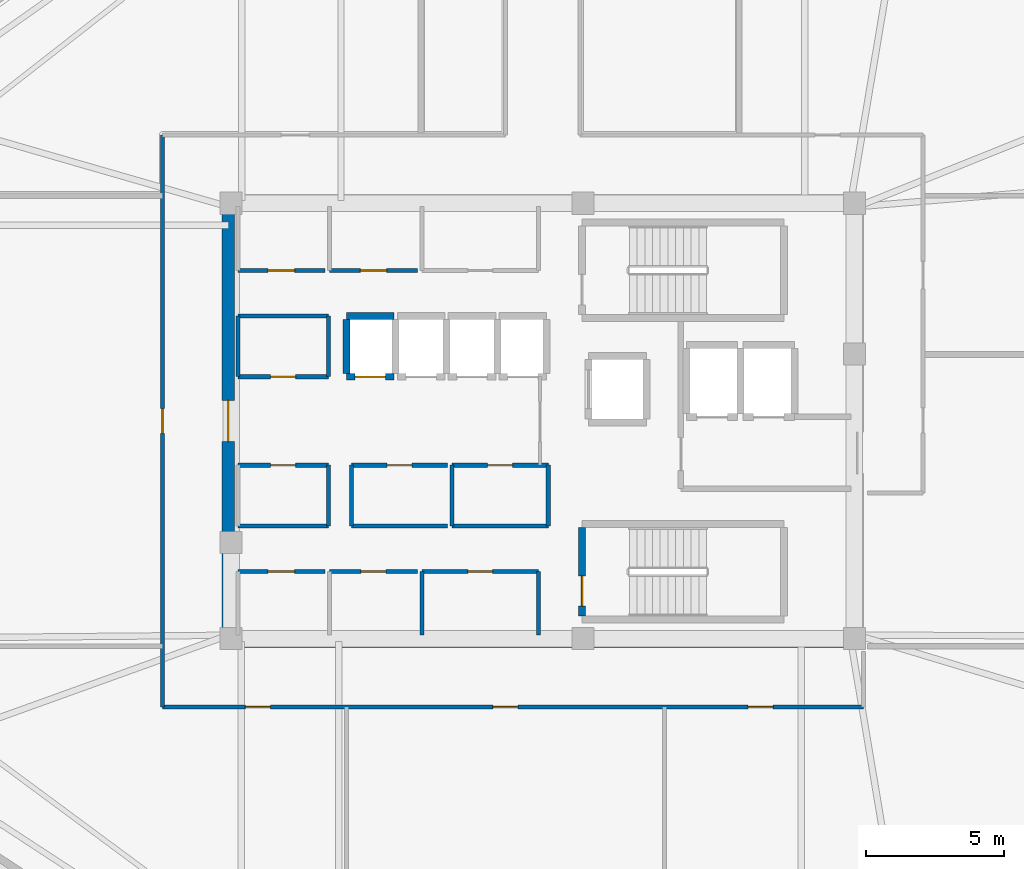
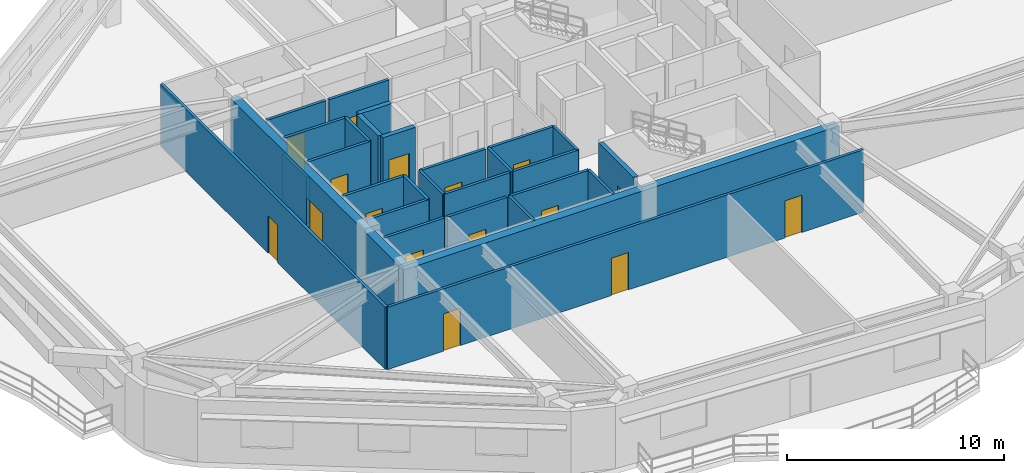
# One storey, part 6 of 12: 29 walls, 16 doors, 16 openings.
"""IFC4 building model written with IfcOpenShell, lengths in metres."""

from ifc_helpers import new_model, si_unit, direction, frame, frame_2d, origin, place, context, subcontext, project, spatial, rectangle, extrude, material, layer, layer_set, type_object, element, fill, save


model = new_model("IFC4")

# Units and contexts
model_context = context("Model", 3, precision=1e-05, world=origin(), true_north=direction((0.0, 1.0)))
body_context = subcontext(model_context, "Body", "Model", "MODEL_VIEW")
ifc_project = project(units=[si_unit("LENGTHUNIT", "METRE"), si_unit("AREAUNIT", "SQUARE_METRE"), si_unit("VOLUMEUNIT", "CUBIC_METRE"), si_unit("PLANEANGLEUNIT", "RADIAN"), si_unit("MASSUNIT", "GRAM", prefix="KILO")], contexts=[model_context])

# Site, building, storey
site_placement = place(None, origin())
site = spatial("IfcSite", under=ifc_project, at=site_placement, CompositionType="ELEMENT")
building_placement = place(site_placement, origin())
building = spatial("IfcBuilding", under=site, at=building_placement, Name="Zulverin Broadcast Headquarters", CompositionType="ELEMENT")
storey_placement = place(building_placement, frame((0.0, 0.0, 240.199951171875)))
storey = spatial("IfcBuildingStorey", under=building, at=storey_placement, Name="L61", CompositionType="ELEMENT", Elevation=240.199951171875)

# Wall
ifc_material_1 = material(Name="Concrete C50/60", Category="concrete")
ifc_layer_1 = layer(ifc_material_1, 0.449951171875, Name="Concrete C50/60", Category="concrete")
ifc_layer_set_1 = layer_set([ifc_layer_1], Name="Concrete C50/60")
wall_type_1 = type_object("IfcWallType", Name="WL-CORE-450", PredefinedType="SHEAR", material=ifc_layer_set_1)
wall_1_placement = place(storey_placement, frame((25.39990234375, 17.22509765625, 0.0), z_axis=(0.0, 0.0, 1.0), x_axis=(1.0, 0.0, 0.0)))
element("IfcWall", 1, at=wall_1_placement, inside=storey, type_object=wall_type_1, Name="L61 Core South Shear Wall", PredefinedType="SHEAR", context=body_context, shape_type="SweptSolid", body=[
    extrude(rectangle(XDim=23.2001953125, YDim=0.449951171875, at=frame_2d((11.60009765625, 0.0))), origin(), (0.0, 0.0, 1.0), 3.510009765625),
])

# Wall, opening, door
wall_2_placement = place(storey_placement, frame((25.625, 17.449951171875, 0.0), z_axis=(0.0, 0.0, 1.0), x_axis=(0.0, 1.0, 0.0)))
wall_2 = element("IfcWall", 2, at=wall_2_placement, inside=storey, type_object=wall_type_1, Name="L61 Core West Shear Wall", PredefinedType="SHEAR", context=body_context, shape_type="SweptSolid", body=[
    extrude(rectangle(XDim=15.5, YDim=0.449951171875, at=frame_2d((7.75, 0.0))), origin(), (0.0, 0.0, 1.0), 3.510009765625),
])
opening_1_placement = place(wall_2_placement, frame((7.0, 0.0, 0.0)))
opening_1 = element("IfcOpeningElement", 3, at=opening_1_placement, cuts=wall_2, Name="Opening D-L61-CW1", PredefinedType="OPENING", context=body_context, shape_type="SweptSolid", body=[
    extrude(rectangle(XDim=1.5, YDim=2.14990234375, at=frame_2d((0.75, 1.074951171875))), frame((0.0, 0.23486328125, 0.0), z_axis=(0.0, -1.0, 0.0), x_axis=(1.0, 0.0, 0.0)), (0.0, 0.0, 1.0), 0.469970703125),
])
ifc_material_2 = material(Name="Fire-rated glazed steel frame", Category="steel")
door_type_1 = type_object("IfcDoorType", Name="DR-COR-1500", OperationType="DOUBLE_DOOR_SINGLE_SWING", PredefinedType="DOOR", material=ifc_material_2)
door_1_placement = place(opening_1_placement, origin())
door_1 = element("IfcDoor", 4, at=door_1_placement, inside=storey, type_object=door_type_1, Name="L61 Central Lift Lobby West Portal Door", OperationType="DOUBLE_DOOR_SINGLE_SWING", OverallHeight=2.14990234375, OverallWidth=1.5, PredefinedType="DOOR", context=body_context, shape_type="SweptSolid", body=[
    extrude(rectangle(XDim=1.5, YDim=2.14990234375, at=frame_2d((0.75, 1.074951171875))), frame((0.0, 0.02490234375, 0.0), z_axis=(0.0, -1.0, 0.0), x_axis=(1.0, 0.0, 0.0)), (0.0, 0.0, 1.0), 0.050048828125),
])
fill(opening_1, door_1)

ifc_material_3 = material(Name="Fire-rated gypsum stud partition", Category="gypsum")
ifc_layer_2 = layer(ifc_material_3, 0.14990234375, Name="Fire-rated gypsum stud partition", Category="gypsum")
ifc_layer_set_2 = layer_set([ifc_layer_2], Name="Fire-rated gypsum stud partition")
wall_type_2 = type_object("IfcWallType", Name="WL-PART-150", PredefinedType="PARTITIONING", material=ifc_layer_set_2)
wall_3_placement = place(storey_placement, frame((25.969970703125, 30.64990234375, 0.0), z_axis=(0.0, 0.0, 1.0), x_axis=(1.0, 0.0, 0.0)))
wall_3 = element("IfcWall", 5, at=wall_3_placement, inside=storey, type_object=wall_type_2, Name="L61 Core Male WC Front Wall", PredefinedType="PARTITIONING", context=body_context, shape_type="SweptSolid", body=[
    extrude(rectangle(XDim=3.150146484375, YDim=0.14990234375, at=frame_2d((1.5751953125, 0.0))), origin(), (0.0, 0.0, 1.0), 3.510009765625),
])
opening_2_placement = place(wall_3_placement, frame((1.10009765625, 0.0, 0.0)))
opening_2 = element("IfcOpeningElement", 6, at=opening_2_placement, cuts=wall_3, Name="Opening D-L61-NC1", PredefinedType="OPENING", context=body_context, shape_type="SweptSolid", body=[
    extrude(rectangle(XDim=0.949951171875, YDim=2.10009765625, at=frame_2d((0.47509765625, 1.050048828125))), frame((0.0, 0.0849609375, 0.0), z_axis=(0.0, -1.0, 0.0), x_axis=(1.0, 0.0, 0.0)), (0.0, 0.0, 1.0), 0.169921875),
])
ifc_material_4 = material(Name="Fire-rated moisture-resistant laminate leaf", Category="wood")
door_type_2 = type_object("IfcDoorType", Name="DR-WC-950", OperationType="SINGLE_SWING_LEFT", PredefinedType="DOOR", material=ifc_material_4)
door_2_placement = place(opening_2_placement, origin())
door_2 = element("IfcDoor", 7, at=door_2_placement, inside=storey, type_object=door_type_2, Name="L61 Male WC Door", OperationType="SINGLE_SWING_LEFT", OverallHeight=2.10009765625, OverallWidth=0.949951171875, PredefinedType="DOOR", context=body_context, shape_type="SweptSolid", body=[
    extrude(rectangle(XDim=0.949951171875, YDim=2.10009765625, at=frame_2d((0.47509765625, 1.050048828125))), frame((0.0, 0.02490234375, 0.0), z_axis=(0.0, -1.0, 0.0), x_axis=(1.0, 0.0, 0.0)), (0.0, 0.0, 1.0), 0.050048828125),
])
fill(opening_2, door_2)

wall_4_placement = place(storey_placement, frame((29.280029296875, 30.64990234375, 0.0), z_axis=(0.0, 0.0, 1.0), x_axis=(1.0, 0.0, 0.0)))
wall_4 = element("IfcWall", 8, at=wall_4_placement, inside=storey, type_object=wall_type_2, Name="L61 Core Accessible WC Front Wall", PredefinedType="PARTITIONING", context=body_context, shape_type="SweptSolid", body=[
    extrude(rectangle(XDim=3.18994140625, YDim=0.14990234375, at=frame_2d((1.594970703125, 0.0))), origin(), (0.0, 0.0, 1.0), 3.510009765625),
])
opening_3_placement = place(wall_4_placement, frame((1.1201171875, 0.0, 0.0)))
opening_3 = element("IfcOpeningElement", 9, at=opening_3_placement, cuts=wall_4, Name="Opening D-L61-NC2", PredefinedType="OPENING", context=body_context, shape_type="SweptSolid", body=[
    extrude(rectangle(XDim=0.949951171875, YDim=2.10009765625, at=frame_2d((0.47509765625, 1.050048828125))), frame((0.0, 0.0849609375, 0.0), z_axis=(0.0, -1.0, 0.0), x_axis=(1.0, 0.0, 0.0)), (0.0, 0.0, 1.0), 0.169921875),
])
door_3_placement = place(opening_3_placement, origin())
door_3 = element("IfcDoor", 10, at=door_3_placement, inside=storey, type_object=door_type_2, Name="L61 Accessible WC Door", OperationType="SINGLE_SWING_RIGHT", OverallHeight=2.10009765625, OverallWidth=0.949951171875, PredefinedType="DOOR", context=body_context, shape_type="SweptSolid", body=[
    extrude(rectangle(XDim=0.949951171875, YDim=2.10009765625, at=frame_2d((0.47509765625, 1.050048828125))), frame((0.0, 0.02490234375, 0.0), z_axis=(0.0, -1.0, 0.0), x_axis=(1.0, 0.0, 0.0)), (0.0, 0.0, 1.0), 0.050048828125),
])
fill(opening_3, door_3)

wall_5_placement = place(storey_placement, frame((25.969970703125, 19.75, 0.0), z_axis=(0.0, 0.0, 1.0), x_axis=(1.0, 0.0, 0.0)))
wall_5 = element("IfcWall", 11, at=wall_5_placement, inside=storey, type_object=wall_type_2, Name="L61 Core Female WC Front Wall", PredefinedType="PARTITIONING", context=body_context, shape_type="SweptSolid", body=[
    extrude(rectangle(XDim=3.150146484375, YDim=0.14990234375, at=frame_2d((1.5751953125, 0.0))), origin(), (0.0, 0.0, 1.0), 3.510009765625),
])
opening_4_placement = place(wall_5_placement, frame((1.10009765625, 0.0, 0.0)))
opening_4 = element("IfcOpeningElement", 12, at=opening_4_placement, cuts=wall_5, Name="Opening D-L61-SC1", PredefinedType="OPENING", context=body_context, shape_type="SweptSolid", body=[
    extrude(rectangle(XDim=0.949951171875, YDim=2.10009765625, at=frame_2d((0.47509765625, 1.050048828125))), frame((0.0, 0.0849609375, 0.0), z_axis=(0.0, -1.0, 0.0), x_axis=(1.0, 0.0, 0.0)), (0.0, 0.0, 1.0), 0.169921875),
])
door_4_placement = place(opening_4_placement, origin())
door_4 = element("IfcDoor", 13, at=door_4_placement, inside=storey, type_object=door_type_2, Name="L61 Female WC Door", OperationType="SINGLE_SWING_RIGHT", OverallHeight=2.10009765625, OverallWidth=0.949951171875, PredefinedType="DOOR", context=body_context, shape_type="SweptSolid", body=[
    extrude(rectangle(XDim=0.949951171875, YDim=2.10009765625, at=frame_2d((0.47509765625, 1.050048828125))), frame((0.0, 0.02490234375, 0.0), z_axis=(0.0, -1.0, 0.0), x_axis=(1.0, 0.0, 0.0)), (0.0, 0.0, 1.0), 0.050048828125),
])
fill(opening_4, door_4)

wall_6_placement = place(storey_placement, frame((29.280029296875, 19.75, 0.0), z_axis=(0.0, 0.0, 1.0), x_axis=(1.0, 0.0, 0.0)))
wall_6 = element("IfcWall", 14, at=wall_6_placement, inside=storey, type_object=wall_type_2, Name="L61 Core Cleaner Store Front Wall", PredefinedType="PARTITIONING", context=body_context, shape_type="SweptSolid", body=[
    extrude(rectangle(XDim=3.18994140625, YDim=0.14990234375, at=frame_2d((1.594970703125, 0.0))), origin(), (0.0, 0.0, 1.0), 3.510009765625),
])
opening_5_placement = place(wall_6_placement, frame((1.14501953125, 0.0, 0.0)))
opening_5 = element("IfcOpeningElement", 15, at=opening_5_placement, cuts=wall_6, Name="Opening D-L61-SC2", PredefinedType="OPENING", context=body_context, shape_type="SweptSolid", body=[
    extrude(rectangle(XDim=0.89990234375, YDim=2.10009765625, at=frame_2d((0.449951171875, 1.050048828125))), frame((0.0, 0.0849609375, 0.0), z_axis=(0.0, -1.0, 0.0), x_axis=(1.0, 0.0, 0.0)), (0.0, 0.0, 1.0), 0.169921875),
])
ifc_material_5 = material(Name="Powder-coated steel access leaf", Category="steel")
door_type_3 = type_object("IfcDoorType", Name="DR-RISER-900", OperationType="SINGLE_SWING_LEFT", PredefinedType="DOOR", material=ifc_material_5)
door_5_placement = place(opening_5_placement, origin())
door_5 = element("IfcDoor", 16, at=door_5_placement, inside=storey, type_object=door_type_3, Name="L61 Cleaner Store Door", OperationType="SINGLE_SWING_LEFT", OverallHeight=2.10009765625, OverallWidth=0.89990234375, PredefinedType="DOOR", context=body_context, shape_type="SweptSolid", body=[
    extrude(rectangle(XDim=0.89990234375, YDim=2.10009765625, at=frame_2d((0.449951171875, 1.050048828125))), frame((0.0, 0.02490234375, 0.0), z_axis=(0.0, -1.0, 0.0), x_axis=(1.0, 0.0, 0.0)), (0.0, 0.0, 1.0), 0.050048828125),
])
fill(opening_5, door_5)

wall_7_placement = place(storey_placement, frame((32.6298828125, 19.75, 0.0), z_axis=(0.0, 0.0, 1.0), x_axis=(1.0, 0.0, 0.0)))
wall_7 = element("IfcWall", 17, at=wall_7_placement, inside=storey, type_object=wall_type_2, Name="L61 Core Broadcast Fibre Riser Front Wall", PredefinedType="PARTITIONING", context=body_context, shape_type="SweptSolid", body=[
    extrude(rectangle(XDim=4.22021484375, YDim=0.14990234375, at=frame_2d((2.110107421875, 0.0))), origin(), (0.0, 0.0, 1.0), 3.510009765625),
])
opening_6_placement = place(wall_7_placement, frame((1.659912109375, 0.0, 0.0)))
opening_6 = element("IfcOpeningElement", 18, at=opening_6_placement, cuts=wall_7, Name="Opening D-L61-SC3", PredefinedType="OPENING", context=body_context, shape_type="SweptSolid", body=[
    extrude(rectangle(XDim=0.89990234375, YDim=2.10009765625, at=frame_2d((0.449951171875, 1.050048828125))), frame((0.0, 0.0849609375, 0.0), z_axis=(0.0, -1.0, 0.0), x_axis=(1.0, 0.0, 0.0)), (0.0, 0.0, 1.0), 0.169921875),
])
door_6_placement = place(opening_6_placement, origin())
door_6 = element("IfcDoor", 19, at=door_6_placement, inside=storey, type_object=door_type_3, Name="L61 Broadcast Fibre Riser Door", OperationType="SINGLE_SWING_RIGHT", OverallHeight=2.10009765625, OverallWidth=0.89990234375, PredefinedType="DOOR", context=body_context, shape_type="SweptSolid", body=[
    extrude(rectangle(XDim=0.89990234375, YDim=2.10009765625, at=frame_2d((0.449951171875, 1.050048828125))), frame((0.0, 0.02490234375, 0.0), z_axis=(0.0, -1.0, 0.0), x_axis=(1.0, 0.0, 0.0)), (0.0, 0.0, 1.0), 0.050048828125),
])
fill(opening_6, door_6)

# Walls
for number, where, z_axis, x_axis, name in (
    (20, (32.6298828125, 17.449951171875, 0.0), (0.0, 0.0, 1.0), (0.0, 1.0, 0.0), "L61 Core Broadcast Fibre Riser West Wall"),
    (21, (36.85009765625, 17.449951171875, 0.0), (0.0, 0.0, 1.0), (0.0, 1.0, 0.0), "L61 Core Broadcast Fibre Riser East Wall"),
):
    element("IfcWall", number, at=place(storey_placement, frame(where, z_axis=z_axis, x_axis=x_axis)), inside=storey, type_object=wall_type_2, Name=name, PredefinedType="PARTITIONING", context=body_context, shape_type="SweptSolid", body=[
        extrude(rectangle(XDim=2.300048828125, YDim=0.14990234375, at=frame_2d((1.14990234375, 0.0))), origin(), (0.0, 0.0, 1.0), 3.510009765625),
    ])

# Wall, opening, door
wall_8_placement = place(storey_placement, frame((25.969970703125, 26.800048828125, 0.0), z_axis=(0.0, 0.0, 1.0), x_axis=(1.0, 0.0, 0.0)))
wall_8 = element("IfcWall", 22, at=wall_8_placement, inside=storey, type_object=wall_type_2, Name="L61 Core UPS Battery Store S Wall", PredefinedType="PARTITIONING", context=body_context, shape_type="SweptSolid", body=[
    extrude(rectangle(XDim=3.280029296875, YDim=0.14990234375, at=frame_2d((1.64013671875, 0.0))), origin(), (0.0, 0.0, 1.0), 3.510009765625),
])
opening_7_placement = place(wall_8_placement, frame((1.18994140625, 0.0, 0.0)))
opening_7 = element("IfcOpeningElement", 23, at=opening_7_placement, cuts=wall_8, Name="Opening D-L61-RCLN", PredefinedType="OPENING", context=body_context, shape_type="SweptSolid", body=[
    extrude(rectangle(XDim=0.89990234375, YDim=2.10009765625, at=frame_2d((0.449951171875, 1.050048828125))), frame((0.0, 0.0849609375, 0.0), z_axis=(0.0, -1.0, 0.0), x_axis=(1.0, 0.0, 0.0)), (0.0, 0.0, 1.0), 0.169921875),
])
door_7_placement = place(opening_7_placement, origin())
door_7 = element("IfcDoor", 24, at=door_7_placement, inside=storey, type_object=door_type_3, Name="L61 Core UPS Battery Store Door", OperationType="SINGLE_SWING_LEFT", OverallHeight=2.10009765625, OverallWidth=0.89990234375, PredefinedType="DOOR", context=body_context, shape_type="SweptSolid", body=[
    extrude(rectangle(XDim=0.89990234375, YDim=2.10009765625, at=frame_2d((0.449951171875, 1.050048828125))), frame((0.0, 0.02490234375, 0.0), z_axis=(0.0, -1.0, 0.0), x_axis=(1.0, 0.0, 0.0)), (0.0, 0.0, 1.0), 0.050048828125),
])
fill(opening_7, door_7)

# Walls
wall_9_placement = place(storey_placement, frame((25.969970703125, 29.0, 0.0), z_axis=(0.0, 0.0, 1.0), x_axis=(1.0, 0.0, 0.0)))
element("IfcWall", 25, at=wall_9_placement, inside=storey, type_object=wall_type_2, Name="L61 Core UPS Battery Store N Wall", PredefinedType="PARTITIONING", context=body_context, shape_type="SweptSolid", body=[
    extrude(rectangle(XDim=3.280029296875, YDim=0.14990234375, at=frame_2d((1.64013671875, 0.0))), origin(), (0.0, 0.0, 1.0), 3.510009765625),
])
wall_10_placement = place(storey_placement, frame((25.969970703125, 26.800048828125, 0.0), z_axis=(0.0, 0.0, 1.0), x_axis=(0.0, 1.0, 0.0)))
element("IfcWall", 26, at=wall_10_placement, inside=storey, type_object=wall_type_2, Name="L61 Core UPS Battery Store W Wall", PredefinedType="PARTITIONING", context=body_context, shape_type="SweptSolid", body=[
    extrude(rectangle(XDim=2.199951171875, YDim=0.14990234375, at=frame_2d((1.10009765625, 0.0))), origin(), (0.0, 0.0, 1.0), 2.610107421875),
])
wall_11_placement = place(storey_placement, frame((29.25, 26.800048828125, 0.0), z_axis=(0.0, 0.0, 1.0), x_axis=(0.0, 1.0, 0.0)))
element("IfcWall", 27, at=wall_11_placement, inside=storey, type_object=wall_type_2, Name="L61 Core UPS Battery Store E Wall", PredefinedType="PARTITIONING", context=body_context, shape_type="SweptSolid", body=[
    extrude(rectangle(XDim=2.199951171875, YDim=0.14990234375, at=frame_2d((1.10009765625, 0.0))), origin(), (0.0, 0.0, 1.0), 3.510009765625),
])
wall_12_placement = place(storey_placement, frame((25.969970703125, 21.39990234375, 0.0), z_axis=(0.0, 0.0, 1.0), x_axis=(1.0, 0.0, 0.0)))
element("IfcWall", 28, at=wall_12_placement, inside=storey, type_object=wall_type_2, Name="L61 Housekeeping Equipment Store S Wall", PredefinedType="PARTITIONING", context=body_context, shape_type="SweptSolid", body=[
    extrude(rectangle(XDim=3.280029296875, YDim=0.14990234375, at=frame_2d((1.64013671875, 0.0))), origin(), (0.0, 0.0, 1.0), 3.510009765625),
])

# Wall, opening, door
wall_13_placement = place(storey_placement, frame((25.969970703125, 23.60009765625, 0.0), z_axis=(0.0, 0.0, 1.0), x_axis=(1.0, 0.0, 0.0)))
wall_13 = element("IfcWall", 29, at=wall_13_placement, inside=storey, type_object=wall_type_2, Name="L61 Housekeeping Equipment Store N Wall", PredefinedType="PARTITIONING", context=body_context, shape_type="SweptSolid", body=[
    extrude(rectangle(XDim=3.280029296875, YDim=0.14990234375, at=frame_2d((1.64013671875, 0.0))), origin(), (0.0, 0.0, 1.0), 3.510009765625),
])
opening_8_placement = place(wall_13_placement, frame((1.18994140625, 0.0, 0.0)))
opening_8 = element("IfcOpeningElement", 30, at=opening_8_placement, cuts=wall_13, Name="Opening D-L61-RCLS", PredefinedType="OPENING", context=body_context, shape_type="SweptSolid", body=[
    extrude(rectangle(XDim=0.89990234375, YDim=2.10009765625, at=frame_2d((0.449951171875, 1.050048828125))), frame((0.0, 0.0849609375, 0.0), z_axis=(0.0, -1.0, 0.0), x_axis=(1.0, 0.0, 0.0)), (0.0, 0.0, 1.0), 0.169921875),
])
door_8_placement = place(opening_8_placement, origin())
door_8 = element("IfcDoor", 31, at=door_8_placement, inside=storey, type_object=door_type_3, Name="L61 Housekeeping Equipment Store Door", OperationType="SINGLE_SWING_RIGHT", OverallHeight=2.10009765625, OverallWidth=0.89990234375, PredefinedType="DOOR", context=body_context, shape_type="SweptSolid", body=[
    extrude(rectangle(XDim=0.89990234375, YDim=2.10009765625, at=frame_2d((0.449951171875, 1.050048828125))), frame((0.0, 0.02490234375, 0.0), z_axis=(0.0, -1.0, 0.0), x_axis=(1.0, 0.0, 0.0)), (0.0, 0.0, 1.0), 0.050048828125),
])
fill(opening_8, door_8)

# Walls
wall_14_placement = place(storey_placement, frame((29.25, 21.39990234375, 0.0), z_axis=(0.0, 0.0, 1.0), x_axis=(0.0, 1.0, 0.0)))
element("IfcWall", 32, at=wall_14_placement, inside=storey, type_object=wall_type_2, Name="L61 Housekeeping Equipment Store E Wall", PredefinedType="PARTITIONING", context=body_context, shape_type="SweptSolid", body=[
    extrude(rectangle(XDim=2.2001953125, YDim=0.14990234375, at=frame_2d((1.10009765625, 0.0))), origin(), (0.0, 0.0, 1.0), 3.510009765625),
])
wall_15_placement = place(storey_placement, frame((30.080078125, 21.39990234375, 0.0), z_axis=(0.0, 0.0, 1.0), x_axis=(1.0, 0.0, 0.0)))
element("IfcWall", 33, at=wall_15_placement, inside=storey, type_object=wall_type_2, Name="L61 High-Zone Archive Vault Store S Wall", PredefinedType="PARTITIONING", context=body_context, shape_type="SweptSolid", body=[
    extrude(rectangle(XDim=3.47998046875, YDim=0.14990234375, at=frame_2d((1.739990234375, 0.0))), origin(), (0.0, 0.0, 1.0), 3.510009765625),
])

# Wall, opening, door
wall_16_placement = place(storey_placement, frame((30.080078125, 23.60009765625, 0.0), z_axis=(0.0, 0.0, 1.0), x_axis=(1.0, 0.0, 0.0)))
wall_16 = element("IfcWall", 34, at=wall_16_placement, inside=storey, type_object=wall_type_2, Name="L61 High-Zone Archive Vault Store N Wall", PredefinedType="PARTITIONING", context=body_context, shape_type="SweptSolid", body=[
    extrude(rectangle(XDim=3.47998046875, YDim=0.14990234375, at=frame_2d((1.739990234375, 0.0))), origin(), (0.0, 0.0, 1.0), 3.510009765625),
])
opening_9_placement = place(wall_16_placement, frame((1.2900390625, 0.0, 0.0)))
opening_9 = element("IfcOpeningElement", 35, at=opening_9_placement, cuts=wall_16, Name="Opening D-L61-RM1", PredefinedType="OPENING", context=body_context, shape_type="SweptSolid", body=[
    extrude(rectangle(XDim=0.89990234375, YDim=2.10009765625, at=frame_2d((0.449951171875, 1.050048828125))), frame((0.0, 0.0849609375, 0.0), z_axis=(0.0, -1.0, 0.0), x_axis=(1.0, 0.0, 0.0)), (0.0, 0.0, 1.0), 0.169921875),
])
door_9_placement = place(opening_9_placement, origin())
door_9 = element("IfcDoor", 36, at=door_9_placement, inside=storey, type_object=door_type_3, Name="L61 High-Zone Archive Vault Store Door", OperationType="SINGLE_SWING_LEFT", OverallHeight=2.10009765625, OverallWidth=0.89990234375, PredefinedType="DOOR", context=body_context, shape_type="SweptSolid", body=[
    extrude(rectangle(XDim=0.89990234375, YDim=2.10009765625, at=frame_2d((0.449951171875, 1.050048828125))), frame((0.0, 0.02490234375, 0.0), z_axis=(0.0, -1.0, 0.0), x_axis=(1.0, 0.0, 0.0)), (0.0, 0.0, 1.0), 0.050048828125),
])
fill(opening_9, door_9)

# Walls
wall_17_placement = place(storey_placement, frame((30.080078125, 21.39990234375, 0.0), z_axis=(0.0, 0.0, 1.0), x_axis=(0.0, 1.0, 0.0)))
element("IfcWall", 37, at=wall_17_placement, inside=storey, type_object=wall_type_2, Name="L61 High-Zone Archive Vault Store W Wall", PredefinedType="PARTITIONING", context=body_context, shape_type="SweptSolid", body=[
    extrude(rectangle(XDim=2.2001953125, YDim=0.14990234375, at=frame_2d((1.10009765625, 0.0))), origin(), (0.0, 0.0, 1.0), 3.510009765625),
])
wall_18_placement = place(storey_placement, frame((33.719970703125, 21.39990234375, 0.0), z_axis=(0.0, 0.0, 1.0), x_axis=(1.0, 0.0, 0.0)))
element("IfcWall", 38, at=wall_18_placement, inside=storey, type_object=wall_type_2, Name="L61 Executive Floor Pantry Store S Wall", PredefinedType="PARTITIONING", context=body_context, shape_type="SweptSolid", body=[
    extrude(rectangle(XDim=3.47998046875, YDim=0.14990234375, at=frame_2d((1.739990234375, 0.0))), origin(), (0.0, 0.0, 1.0), 3.510009765625),
])

# Wall, opening, door
wall_19_placement = place(storey_placement, frame((33.719970703125, 23.60009765625, 0.0), z_axis=(0.0, 0.0, 1.0), x_axis=(1.0, 0.0, 0.0)))
wall_19 = element("IfcWall", 39, at=wall_19_placement, inside=storey, type_object=wall_type_2, Name="L61 Executive Floor Pantry Store N Wall", PredefinedType="PARTITIONING", context=body_context, shape_type="SweptSolid", body=[
    extrude(rectangle(XDim=3.47998046875, YDim=0.14990234375, at=frame_2d((1.739990234375, 0.0))), origin(), (0.0, 0.0, 1.0), 3.510009765625),
])
opening_10_placement = place(wall_19_placement, frame((1.2900390625, 0.0, 0.0)))
opening_10 = element("IfcOpeningElement", 40, at=opening_10_placement, cuts=wall_19, Name="Opening D-L61-RM2", PredefinedType="OPENING", context=body_context, shape_type="SweptSolid", body=[
    extrude(rectangle(XDim=0.89990234375, YDim=2.10009765625, at=frame_2d((0.449951171875, 1.050048828125))), frame((0.0, 0.0849609375, 0.0), z_axis=(0.0, -1.0, 0.0), x_axis=(1.0, 0.0, 0.0)), (0.0, 0.0, 1.0), 0.169921875),
])
door_10_placement = place(opening_10_placement, origin())
door_10 = element("IfcDoor", 41, at=door_10_placement, inside=storey, type_object=door_type_3, Name="L61 Executive Floor Pantry Store Door", OperationType="SINGLE_SWING_RIGHT", OverallHeight=2.10009765625, OverallWidth=0.89990234375, PredefinedType="DOOR", context=body_context, shape_type="SweptSolid", body=[
    extrude(rectangle(XDim=0.89990234375, YDim=2.10009765625, at=frame_2d((0.449951171875, 1.050048828125))), frame((0.0, 0.02490234375, 0.0), z_axis=(0.0, -1.0, 0.0), x_axis=(1.0, 0.0, 0.0)), (0.0, 0.0, 1.0), 0.050048828125),
])
fill(opening_10, door_10)

# Walls
for number, where, z_axis, x_axis, name in (
    (42, (33.719970703125, 21.39990234375, 0.0), (0.0, 0.0, 1.0), (0.0, 1.0, 0.0), "L61 Executive Floor Pantry Store W Wall"),
    (43, (37.199951171875, 21.39990234375, 0.0), (0.0, 0.0, 1.0), (0.0, 1.0, 0.0), "L61 Executive Floor Pantry Store E Wall"),
):
    element("IfcWall", number, at=place(storey_placement, frame(where, z_axis=z_axis, x_axis=x_axis)), inside=storey, type_object=wall_type_2, Name=name, PredefinedType="PARTITIONING", context=body_context, shape_type="SweptSolid", body=[
        extrude(rectangle(XDim=2.2001953125, YDim=0.14990234375, at=frame_2d((1.10009765625, 0.0))), origin(), (0.0, 0.0, 1.0), 3.510009765625),
    ])

# Wall, opening, door
wall_20_placement = place(storey_placement, frame((23.25, 14.85009765625, 0.0), z_axis=(0.0, 0.0, 1.0), x_axis=(0.0, 1.0, 0.0)))
wall_20 = element("IfcWall", 44, at=wall_20_placement, inside=storey, type_object=wall_type_2, Name="L61 Gallery Partition Wall CG-09", PredefinedType="PARTITIONING", context=body_context, shape_type="SweptSolid", body=[
    extrude(rectangle(XDim=20.699951171875, YDim=0.14990234375, at=frame_2d((10.35009765625, 0.0))), origin(), (0.0, 0.0, 1.0), 3.510009765625),
])
opening_11_placement = place(wall_20_placement, frame((9.89990234375, 0.0, 0.0)))
opening_11 = element("IfcOpeningElement", 45, at=opening_11_placement, cuts=wall_20, Name="Opening D-L61-08", PredefinedType="OPENING", context=body_context, shape_type="SweptSolid", body=[
    extrude(rectangle(XDim=0.89990234375, YDim=2.10009765625, at=frame_2d((0.449951171875, 1.050048828125))), frame((0.0, 0.0849609375, 0.0), z_axis=(0.0, -1.0, 0.0), x_axis=(1.0, 0.0, 0.0)), (0.0, 0.0, 1.0), 0.169921875),
])
ifc_material_6 = material(Name="Fire-rated hardwood veneer timber leaf", Category="wood")
door_type_4 = type_object("IfcDoorType", Name="DR-ROOM-900", OperationType="SINGLE_SWING_RIGHT", PredefinedType="DOOR", material=ifc_material_6)
door_11_placement = place(opening_11_placement, origin())
door_11 = element("IfcDoor", 46, at=door_11_placement, inside=storey, type_object=door_type_4, Name="L61 Sky Lounge Bar Door", OperationType="SINGLE_SWING_LEFT", OverallHeight=2.10009765625, OverallWidth=0.89990234375, PredefinedType="DOOR", context=body_context, shape_type="SweptSolid", body=[
    extrude(rectangle(XDim=0.89990234375, YDim=2.10009765625, at=frame_2d((0.449951171875, 1.050048828125))), frame((0.0, 0.02490234375, 0.0), z_axis=(0.0, -1.0, 0.0), x_axis=(1.0, 0.0, 0.0)), (0.0, 0.0, 1.0), 0.050048828125),
])
fill(opening_11, door_11)

# Wall, openings, doors
wall_21_placement = place(storey_placement, frame((23.25, 14.85009765625, 0.0), z_axis=(0.0, 0.0, 1.0), x_axis=(1.0, 0.0, 0.0)))
wall_21 = element("IfcWall", 47, at=wall_21_placement, inside=storey, type_object=wall_type_2, Name="L61 Gallery Partition Wall CG-10", PredefinedType="PARTITIONING", context=body_context, shape_type="SweptSolid", body=[
    extrude(rectangle(XDim=25.35009765625, YDim=0.14990234375, at=frame_2d((12.675048828125, 0.0))), origin(), (0.0, 0.0, 1.0), 3.510009765625),
])
opening_12_placement = place(wall_21_placement, frame((2.9951171875, 0.0, 0.0)))
opening_12 = element("IfcOpeningElement", 48, at=opening_12_placement, cuts=wall_21, Name="Opening D-L61-05", PredefinedType="OPENING", context=body_context, shape_type="SweptSolid", body=[
    extrude(rectangle(XDim=0.89990234375, YDim=2.10009765625, at=frame_2d((0.449951171875, 1.050048828125))), frame((0.0, 0.0849609375, 0.0), z_axis=(0.0, -1.0, 0.0), x_axis=(1.0, 0.0, 0.0)), (0.0, 0.0, 1.0), 0.169921875),
])
opening_13_placement = place(wall_21_placement, frame((11.949951171875, 0.0, 0.0)))
opening_13 = element("IfcOpeningElement", 49, at=opening_13_placement, cuts=wall_21, Name="Opening D-L61-06", PredefinedType="OPENING", context=body_context, shape_type="SweptSolid", body=[
    extrude(rectangle(XDim=0.89990234375, YDim=2.10009765625, at=frame_2d((0.449951171875, 1.050048828125))), frame((0.0, 0.0849609375, 0.0), z_axis=(0.0, -1.0, 0.0), x_axis=(1.0, 0.0, 0.0)), (0.0, 0.0, 1.0), 0.169921875),
])
opening_14_placement = place(wall_21_placement, frame((21.179931640625, 0.0, 0.0)))
opening_14 = element("IfcOpeningElement", 50, at=opening_14_placement, cuts=wall_21, Name="Opening D-L61-07", PredefinedType="OPENING", context=body_context, shape_type="SweptSolid", body=[
    extrude(rectangle(XDim=0.89990234375, YDim=2.10009765625, at=frame_2d((0.449951171875, 1.050048828125))), frame((0.0, 0.0849609375, 0.0), z_axis=(0.0, -1.0, 0.0), x_axis=(1.0, 0.0, 0.0)), (0.0, 0.0, 1.0), 0.169921875),
])
door_12_placement = place(opening_12_placement, origin())
door_12 = element("IfcDoor", 51, at=door_12_placement, inside=storey, type_object=door_type_4, Name="L61 Preview Screening Suite Door", OperationType="SINGLE_SWING_RIGHT", OverallHeight=2.10009765625, OverallWidth=0.89990234375, PredefinedType="DOOR", context=body_context, shape_type="SweptSolid", body=[
    extrude(rectangle(XDim=0.89990234375, YDim=2.10009765625, at=frame_2d((0.449951171875, 1.050048828125))), frame((0.0, 0.02490234375, 0.0), z_axis=(0.0, -1.0, 0.0), x_axis=(1.0, 0.0, 0.0)), (0.0, 0.0, 1.0), 0.050048828125),
])
fill(opening_12, door_12)
door_13_placement = place(opening_13_placement, origin())
door_13 = element("IfcDoor", 52, at=door_13_placement, inside=storey, type_object=door_type_4, Name="L61 Writers Library Door", OperationType="SINGLE_SWING_LEFT", OverallHeight=2.10009765625, OverallWidth=0.89990234375, PredefinedType="DOOR", context=body_context, shape_type="SweptSolid", body=[
    extrude(rectangle(XDim=0.89990234375, YDim=2.10009765625, at=frame_2d((0.449951171875, 1.050048828125))), frame((0.0, 0.02490234375, 0.0), z_axis=(0.0, -1.0, 0.0), x_axis=(1.0, 0.0, 0.0)), (0.0, 0.0, 1.0), 0.050048828125),
])
fill(opening_13, door_13)
door_14_placement = place(opening_14_placement, origin())
door_14 = element("IfcDoor", 53, at=door_14_placement, inside=storey, type_object=door_type_4, Name="L61 Executive Dining Room Door", OperationType="SINGLE_SWING_RIGHT", OverallHeight=2.10009765625, OverallWidth=0.89990234375, PredefinedType="DOOR", context=body_context, shape_type="SweptSolid", body=[
    extrude(rectangle(XDim=0.89990234375, YDim=2.10009765625, at=frame_2d((0.449951171875, 1.050048828125))), frame((0.0, 0.02490234375, 0.0), z_axis=(0.0, -1.0, 0.0), x_axis=(1.0, 0.0, 0.0)), (0.0, 0.0, 1.0), 0.050048828125),
])
fill(opening_14, door_14)

# Wall, opening, door
ifc_layer_3 = layer(ifc_material_1, 0.25, Name="Concrete C50/60", Category="concrete")
ifc_layer_set_3 = layer_set([ifc_layer_3], Name="Concrete C50/60")
wall_type_3 = type_object("IfcWallType", Name="WL-SHAFT-250", PredefinedType="SHEAR", material=ifc_layer_set_3)
wall_22_placement = place(storey_placement, frame((38.425048828125, 18.14990234375, 0.0), z_axis=(0.0, 0.0, 1.0), x_axis=(0.0, 1.0, 0.0)))
wall_22 = element("IfcWall", 54, at=wall_22_placement, inside=storey, type_object=wall_type_3, Name="L61 ST-2 Enclosure Wall W", PredefinedType="SHEAR", context=body_context, shape_type="SweptSolid", body=[
    extrude(rectangle(XDim=3.2001953125, YDim=0.25, at=frame_2d((1.60009765625, 0.0))), origin(), (0.0, 0.0, 1.0), 3.510009765625),
])
opening_15_placement = place(wall_22_placement, frame((0.35009765625, 0.0, 0.0)))
opening_15 = element("IfcOpeningElement", 55, at=opening_15_placement, cuts=wall_22, Name="Opening D-L61-ST-2", PredefinedType="OPENING", context=body_context, shape_type="SweptSolid", body=[
    extrude(rectangle(XDim=1.10009765625, YDim=2.14990234375, at=frame_2d((0.550048828125, 1.074951171875))), frame((0.0, 0.135009765625, 0.0), z_axis=(0.0, -1.0, 0.0), x_axis=(1.0, 0.0, 0.0)), (0.0, 0.0, 1.0), 0.27001953125),
])
ifc_material_7 = material(Name="Fire-rated steel leaf and frame", Category="steel")
door_type_5 = type_object("IfcDoorType", Name="DR-STAIR-1100", OperationType="SINGLE_SWING_LEFT", PredefinedType="DOOR", material=ifc_material_7)
door_15_placement = place(opening_15_placement, origin())
door_15 = element("IfcDoor", 56, at=door_15_placement, inside=storey, type_object=door_type_5, Name="L61 Exit Stair ST-2 Fire Door", OperationType="SINGLE_SWING_RIGHT", OverallHeight=2.14990234375, OverallWidth=1.10009765625, PredefinedType="DOOR", context=body_context, shape_type="SweptSolid", body=[
    extrude(rectangle(XDim=1.10009765625, YDim=2.14990234375, at=frame_2d((0.550048828125, 1.074951171875))), frame((0.0, 0.02490234375, 0.0), z_axis=(0.0, -1.0, 0.0), x_axis=(1.0, 0.0, 0.0)), (0.0, 0.0, 1.0), 0.050048828125),
])
fill(opening_15, door_15)

wall_23_placement = place(storey_placement, frame((29.89990234375, 26.800048828125, 0.0), z_axis=(0.0, 0.0, 1.0), x_axis=(1.0, 0.0, 0.0)))
wall_23 = element("IfcWall", 57, at=wall_23_placement, inside=storey, type_object=wall_type_3, Name="L61 Lift PL-H1 Shaft Wall S", PredefinedType="SHEAR", context=body_context, shape_type="SweptSolid", body=[
    extrude(rectangle(XDim=1.72021484375, YDim=0.25, at=frame_2d((0.860107421875, 0.0))), origin(), (0.0, 0.0, 1.0), 3.510009765625),
])
opening_16_placement = place(wall_23_placement, frame((0.31005859375, 0.0, 0.0)))
opening_16 = element("IfcOpeningElement", 58, at=opening_16_placement, cuts=wall_23, Name="Opening LD-PL-H1-L61", PredefinedType="OPENING", context=body_context, shape_type="SweptSolid", body=[
    extrude(rectangle(XDim=1.10009765625, YDim=2.14990234375, at=frame_2d((0.550048828125, 1.074951171875))), frame((0.0, 0.135009765625, 0.0), z_axis=(0.0, -1.0, 0.0), x_axis=(1.0, 0.0, 0.0)), (0.0, 0.0, 1.0), 0.27001953125),
])
ifc_material_8 = material(Name="Brushed stainless steel landing", Category="steel")
door_type_6 = type_object("IfcDoorType", Name="LD-PASS-1100", OperationType="DOUBLE_DOOR_SLIDING", PredefinedType="DOOR", material=ifc_material_8)
door_16_placement = place(opening_16_placement, origin())
door_16 = element("IfcDoor", 59, at=door_16_placement, inside=storey, type_object=door_type_6, Name="L61 Lift PL-H1 Sliding Landing Door", OperationType="DOUBLE_DOOR_SLIDING", OverallHeight=2.14990234375, OverallWidth=1.10009765625, PredefinedType="DOOR", context=body_context, shape_type="SweptSolid", body=[
    extrude(rectangle(XDim=1.10009765625, YDim=2.14990234375, at=frame_2d((0.550048828125, 1.074951171875))), frame((0.0, 0.02490234375, 0.0), z_axis=(0.0, -1.0, 0.0), x_axis=(1.0, 0.0, 0.0)), (0.0, 0.0, 1.0), 0.050048828125),
])
fill(opening_16, door_16)

# Walls
wall_24_placement = place(storey_placement, frame((29.89990234375, 29.0, 0.0), z_axis=(0.0, 0.0, 1.0), x_axis=(1.0, 0.0, 0.0)))
element("IfcWall", 60, at=wall_24_placement, inside=storey, type_object=wall_type_3, Name="L61 Lift PL-H1 Shaft Wall N", PredefinedType="SHEAR", context=body_context, shape_type="SweptSolid", body=[
    extrude(rectangle(XDim=1.72021484375, YDim=0.25, at=frame_2d((0.860107421875, 0.0))), origin(), (0.0, 0.0, 1.0), 3.510009765625),
])
wall_25_placement = place(storey_placement, frame((29.89990234375, 26.919921875, 0.0), z_axis=(0.0, 0.0, 1.0), x_axis=(0.0, 1.0, 0.0)))
element("IfcWall", 61, at=wall_25_placement, inside=storey, type_object=wall_type_3, Name="L61 Lift PL-H1 Shaft Wall W", PredefinedType="SHEAR", context=body_context, shape_type="SweptSolid", body=[
    extrude(rectangle(XDim=1.9599609375, YDim=0.25, at=frame_2d((0.97998046875, 0.0))), origin(), (0.0, 0.0, 1.0), 3.510009765625),
])

save(model, "model.ifc")
